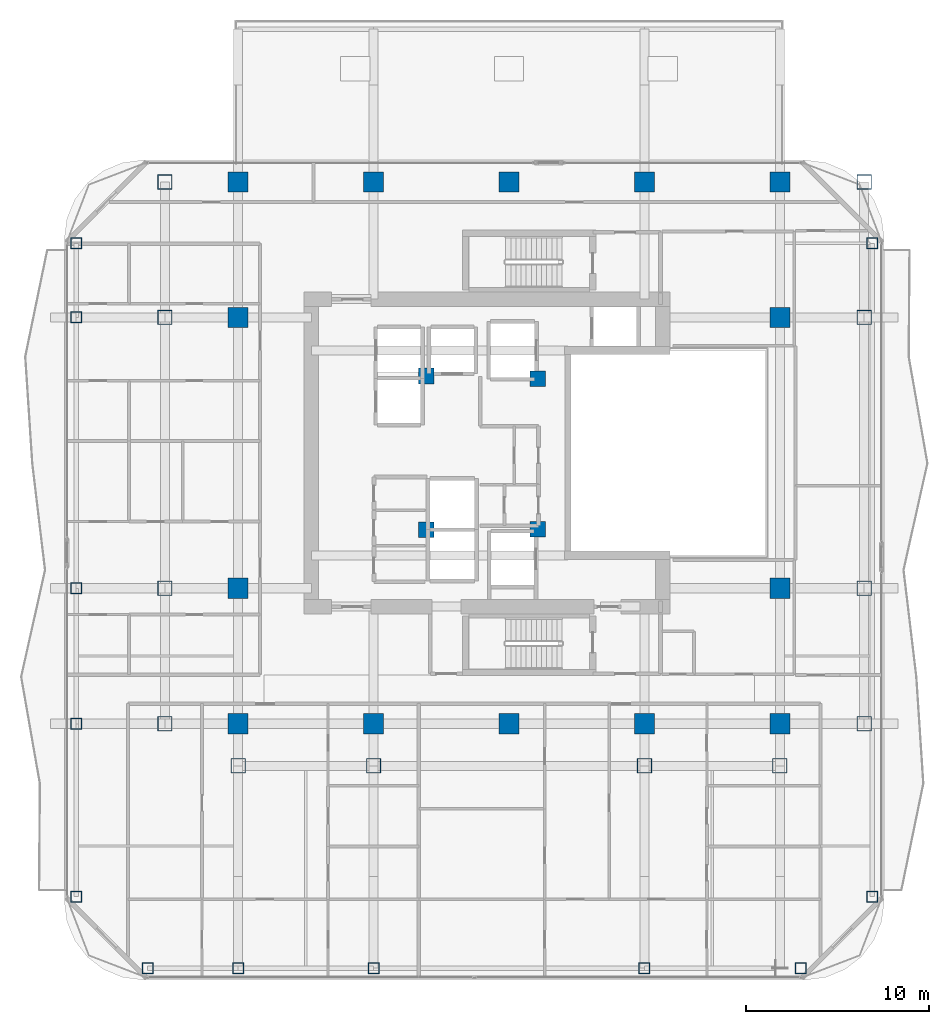
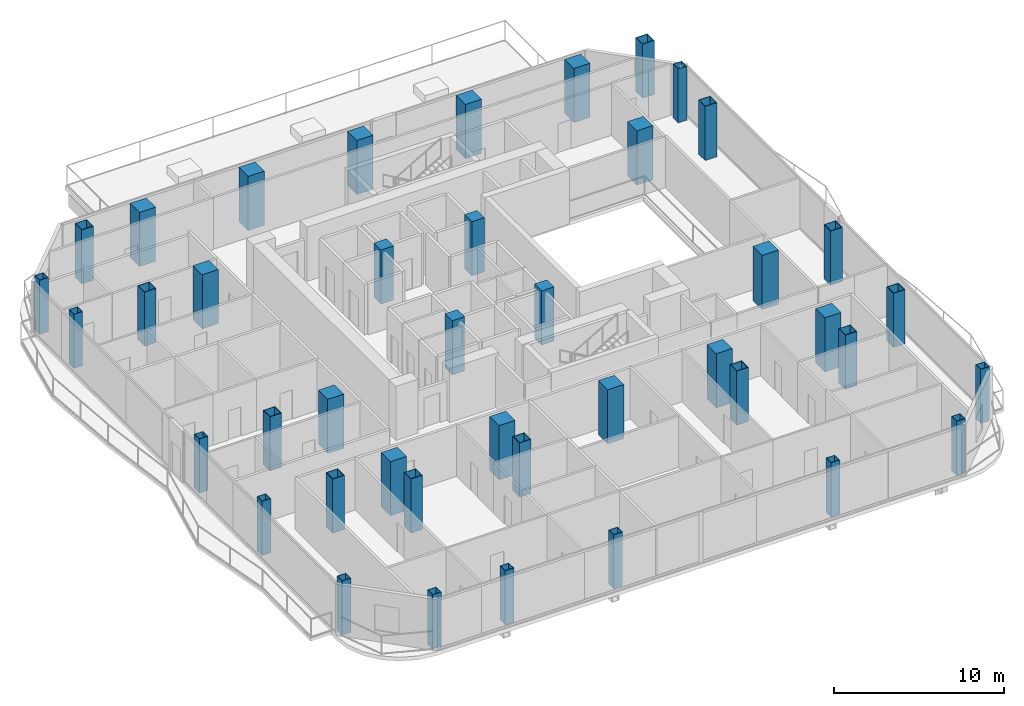
# One storey, part 1 of 24: 42 columns.
"""IFC4 building model written with IfcOpenShell, lengths in metres."""

from ifc_helpers import new_model, si_unit, direction, frame, origin, origin_2d, place, context, subcontext, project, spatial, rectangle, hollow_rectangle, extrude, material, material_profile, profile_set, type_object, element, save


model = new_model("IFC4")

# Units and contexts
model_context = context("Model", 3, precision=1e-05, world=origin(), true_north=direction((0.0, 1.0)))
body_context = subcontext(model_context, "Body", "Model", "MODEL_VIEW")
ifc_project = project(units=[si_unit("LENGTHUNIT", "METRE"), si_unit("AREAUNIT", "SQUARE_METRE"), si_unit("VOLUMEUNIT", "CUBIC_METRE"), si_unit("PLANEANGLEUNIT", "RADIAN"), si_unit("MASSUNIT", "GRAM", prefix="KILO")], contexts=[model_context])

# Site, building, storey
site_placement = place(None, origin())
site = spatial("IfcSite", under=ifc_project, at=site_placement, CompositionType="ELEMENT")
building_placement = place(site_placement, origin())
building = spatial("IfcBuilding", under=site, at=building_placement, Name="Khorvyn Point Tower", CompositionType="ELEMENT")
storey_placement = place(building_placement, frame((0.0, 0.0, 191.39990234375)))
storey = spatial("IfcBuildingStorey", under=building, at=storey_placement, Name="L47", CompositionType="ELEMENT", Elevation=191.39990234375)

# Columns
ifc_material_1 = material(Name="Concrete C40/50", Category="concrete")
ifc_material_profile_1 = material_profile(ifc_material_1, rectangle(XDim=0.85009765625, YDim=0.85009765625, at=origin_2d()))
ifc_profile_set_1 = profile_set([ifc_material_profile_1], Name="Concrete C40/50 RC850x850")
column_type_1 = type_object("IfcColumnType", Name="Concrete C40/50 Column RC850x850", PredefinedType="COLUMN", material=ifc_profile_set_1)
for number, where, z_axis, x_axis, name in (
    (1, (-4.52001953125, -4.199951171875, 0.0), (0.0, 0.0, 1.0), (1.0, 0.0, 0.0), "L47 Crown Core Spine Column 1"),
    (2, (1.580078125, -4.179931640625, 0.0), (0.0, 0.0, 1.0), (1.0, 0.0, 0.0), "L47 Crown Core Spine Column 2"),
    (3, (1.580078125, 4.050048828125, 0.0), (0.0, 0.0, 1.0), (1.0, 0.0, 0.0), "L47 Crown Core Spine Column 3"),
    (4, (-4.52001953125, 4.199951171875, 0.0), (0.0, 0.0, 1.0), (1.0, 0.0, 0.0), "L47 Crown Core Spine Column 4"),
):
    element("IfcColumn", number, at=place(storey_placement, frame(where, z_axis=z_axis, x_axis=x_axis)), inside=storey, type_object=column_type_1, Name=name, PredefinedType="COLUMN", context=body_context, shape_type="SweptSolid", body=[
        extrude(rectangle(XDim=0.85009765625, YDim=0.85009765625, at=origin_2d()), origin(), (0.0, 0.0, 1.0), 3.900146484375),
    ])
ifc_material_2 = material(Name="Concrete C45/55", Category="concrete")
ifc_material_profile_2 = material_profile(ifc_material_2, rectangle(XDim=1.10009765625, YDim=1.10009765625, at=origin_2d()))
ifc_profile_set_2 = profile_set([ifc_material_profile_2], Name="Concrete C45/55 RC1100x1100")
column_type_2 = type_object("IfcColumnType", Name="Concrete C45/55 Column RC1100x1100", PredefinedType="COLUMN", material=ifc_profile_set_2)
for number, where, z_axis, x_axis, name in (
    (5, (-14.800048828125, -14.800048828125, 0.0), (0.0, 0.0, 1.0), (1.0, 0.0, 0.0), "L47 Mega-Column MC-01"),
    (6, (-7.39990234375, -14.800048828125, 0.0), (0.0, 0.0, 1.0), (1.0, 0.0, 0.0), "L47 Mega-Column MC-02"),
    (7, (0.0, -14.800048828125, 0.0), (0.0, 0.0, 1.0), (1.0, 0.0, 0.0), "L47 Mega-Column MC-03"),
    (8, (7.39990234375, -14.800048828125, 0.0), (0.0, 0.0, 1.0), (1.0, 0.0, 0.0), "L47 Mega-Column MC-04"),
    (9, (14.800048828125, -14.800048828125, 0.0), (0.0, 0.0, 1.0), (1.0, 0.0, 0.0), "L47 Mega-Column MC-05"),
    (10, (-14.800048828125, 14.800048828125, 0.0), (0.0, 0.0, 1.0), (1.0, 0.0, 0.0), "L47 Mega-Column MC-06"),
    (11, (-7.39990234375, 14.800048828125, 0.0), (0.0, 0.0, 1.0), (1.0, 0.0, 0.0), "L47 Mega-Column MC-07"),
    (12, (0.0, 14.800048828125, 0.0), (0.0, 0.0, 1.0), (1.0, 0.0, 0.0), "L47 Mega-Column MC-08"),
    (13, (7.39990234375, 14.800048828125, 0.0), (0.0, 0.0, 1.0), (1.0, 0.0, 0.0), "L47 Mega-Column MC-09"),
    (14, (14.800048828125, 14.800048828125, 0.0), (0.0, 0.0, 1.0), (1.0, 0.0, 0.0), "L47 Mega-Column MC-10"),
    (15, (-14.800048828125, -7.39990234375, 0.0), (0.0, 0.0, 1.0), (1.0, 0.0, 0.0), "L47 Mega-Column MC-11"),
    (16, (-14.800048828125, 7.39990234375, 0.0), (0.0, 0.0, 1.0), (1.0, 0.0, 0.0), "L47 Mega-Column MC-12"),
    (17, (14.800048828125, -7.39990234375, 0.0), (0.0, 0.0, 1.0), (1.0, 0.0, 0.0), "L47 Mega-Column MC-13"),
    (18, (14.800048828125, 7.39990234375, 0.0), (0.0, 0.0, 1.0), (1.0, 0.0, 0.0), "L47 Mega-Column MC-14"),
):
    element("IfcColumn", number, at=place(storey_placement, frame(where, z_axis=z_axis, x_axis=x_axis)), inside=storey, type_object=column_type_2, Name=name, PredefinedType="COLUMN", context=body_context, shape_type="SweptSolid", body=[
        extrude(rectangle(XDim=1.10009765625, YDim=1.10009765625, at=origin_2d()), origin(), (0.0, 0.0, 1.0), 3.900146484375),
    ])
ifc_material_3 = material(Name="Steel S450", Category="steel")
ifc_material_profile_3 = material_profile(ifc_material_3, hollow_rectangle(XDim=0.60009765625, YDim=0.60009765625, WallThickness=0.028076171875, at=origin_2d()))
ifc_profile_set_3 = profile_set([ifc_material_profile_3], Name="Steel S450 BOX600x600x28")
column_type_3 = type_object("IfcColumnType", Name="Steel S450 Structural Column BOX600x600x28", PredefinedType="COLUMN", material=ifc_profile_set_3)
for number, where, z_axis, x_axis, name in (
    (19, (-19.75, -28.14990234375, 0.0), (0.0, 0.0, 1.0), (1.0, 0.0, 0.0), "L47 Perimeter Tube Column TC-01"),
    (20, (15.949951171875, -28.14990234375, 0.0), (0.0, 0.0, 1.0), (1.0, 0.0, 0.0), "L47 Perimeter Tube Column TC-02"),
    (21, (-23.64990234375, -24.25, 0.0), (0.0, 0.0, 1.0), (1.0, 0.0, 0.0), "L47 Perimeter Tube Column TC-03"),
    (22, (-23.64990234375, 11.449951171875, 0.0), (0.0, 0.0, 1.0), (1.0, 0.0, 0.0), "L47 Perimeter Tube Column TC-04"),
    (23, (19.85009765625, -24.25, 0.0), (0.0, 0.0, 1.0), (1.0, 0.0, 0.0), "L47 Perimeter Tube Column TC-05"),
    (24, (19.85009765625, 11.449951171875, 0.0), (0.0, 0.0, 1.0), (1.0, 0.0, 0.0), "L47 Perimeter Tube Column TC-06"),
    (25, (-14.800048828125, -28.14990234375, 0.0), (0.0, 0.0, 1.0), (1.0, 0.0, 0.0), "L47 Perimeter Tube Column TC-07"),
    (26, (-7.39990234375, -28.14990234375, 0.0), (0.0, 0.0, 1.0), (1.0, 0.0, 0.0), "L47 Perimeter Tube Column TC-08"),
    (27, (7.39990234375, -28.14990234375, 0.0), (0.0, 0.0, 1.0), (1.0, 0.0, 0.0), "L47 Perimeter Tube Column TC-09"),
    (28, (-23.64990234375, -14.800048828125, 0.0), (0.0, 0.0, 1.0), (1.0, 0.0, 0.0), "L47 Perimeter Tube Column TC-10"),
    (29, (-23.64990234375, -7.39990234375, 0.0), (0.0, 0.0, 1.0), (1.0, 0.0, 0.0), "L47 Perimeter Tube Column TC-11"),
    (30, (-23.64990234375, 7.39990234375, 0.0), (0.0, 0.0, 1.0), (1.0, 0.0, 0.0), "L47 Perimeter Tube Column TC-12"),
):
    element("IfcColumn", number, at=place(storey_placement, frame(where, z_axis=z_axis, x_axis=x_axis)), inside=storey, type_object=column_type_3, Name=name, PredefinedType="COLUMN", context=body_context, shape_type="SweptSolid", body=[
        extrude(hollow_rectangle(XDim=0.60009765625, YDim=0.60009765625, WallThickness=0.028076171875, at=origin_2d()), origin(), (0.0, 0.0, 1.0), 3.900146484375),
    ])
ifc_material_profile_4 = material_profile(ifc_material_3, hollow_rectangle(XDim=0.800048828125, YDim=0.800048828125, WallThickness=0.035888671875, at=origin_2d()))
ifc_profile_set_4 = profile_set([ifc_material_profile_4], Name="Steel S450 BOX800x800x36")
column_type_4 = type_object("IfcColumnType", Name="Steel S450 Structural Column BOX800x800x36", PredefinedType="COLUMN", material=ifc_profile_set_4)
for number, where, z_axis, x_axis, name in (
    (31, (-18.800048828125, -14.800048828125, 0.0), (0.0, 0.0, 1.0), (1.0, 0.0, 0.0), "L47 Intermediate Column ICW--14"),
    (32, (-18.800048828125, -7.39990234375, 0.0), (0.0, 0.0, 1.0), (1.0, 0.0, 0.0), "L47 Intermediate Column ICW--7"),
    (33, (-18.800048828125, 7.39990234375, 0.0), (0.0, 0.0, 1.0), (1.0, 0.0, 0.0), "L47 Intermediate Column ICW-7"),
    (34, (-18.800048828125, 14.800048828125, 0.0), (0.0, 0.0, 1.0), (1.0, 0.0, 0.0), "L47 Intermediate Column ICW-14"),
    (35, (19.39990234375, -14.800048828125, 0.0), (0.0, 0.0, 1.0), (1.0, 0.0, 0.0), "L47 Intermediate Column ICE--14"),
    (36, (19.39990234375, -7.39990234375, 0.0), (0.0, 0.0, 1.0), (1.0, 0.0, 0.0), "L47 Intermediate Column ICE--7"),
    (37, (19.39990234375, 7.39990234375, 0.0), (0.0, 0.0, 1.0), (1.0, 0.0, 0.0), "L47 Intermediate Column ICE-7"),
    (38, (19.39990234375, 14.800048828125, 0.0), (0.0, 0.0, 1.0), (1.0, 0.0, 0.0), "L47 Intermediate Column ICE-14"),
    (39, (-14.800048828125, -17.10009765625, 0.0), (0.0, 0.0, 1.0), (1.0, 0.0, 0.0), "L47 Intermediate Column ICS--14"),
    (40, (-7.39990234375, -17.10009765625, 0.0), (0.0, 0.0, 1.0), (1.0, 0.0, 0.0), "L47 Intermediate Column ICS--7"),
    (41, (7.39990234375, -17.10009765625, 0.0), (0.0, 0.0, 1.0), (1.0, 0.0, 0.0), "L47 Intermediate Column ICS-7"),
    (42, (14.800048828125, -17.10009765625, 0.0), (0.0, 0.0, 1.0), (1.0, 0.0, 0.0), "L47 Intermediate Column ICS-14"),
):
    element("IfcColumn", number, at=place(storey_placement, frame(where, z_axis=z_axis, x_axis=x_axis)), inside=storey, type_object=column_type_4, Name=name, PredefinedType="COLUMN", context=body_context, shape_type="SweptSolid", body=[
        extrude(hollow_rectangle(XDim=0.800048828125, YDim=0.800048828125, WallThickness=0.035888671875, at=origin_2d()), origin(), (0.0, 0.0, 1.0), 3.900146484375),
    ])

save(model, "model.ifc")
